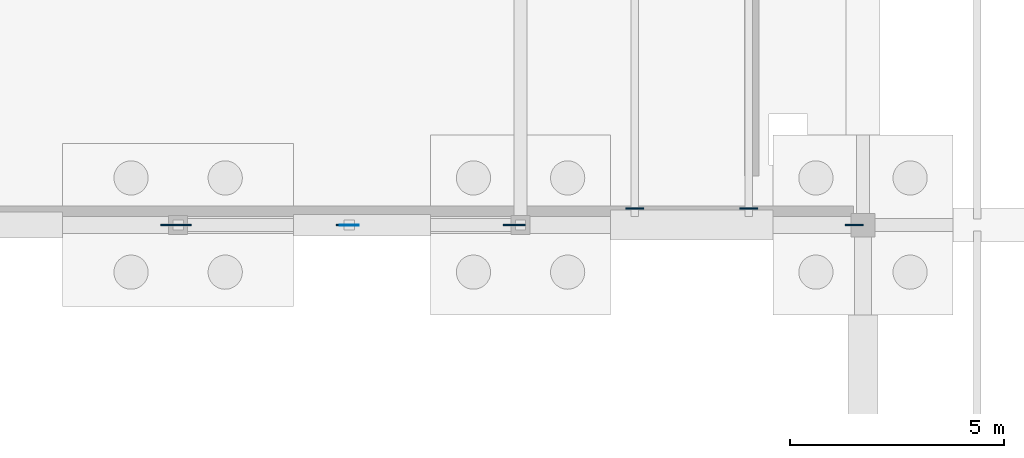
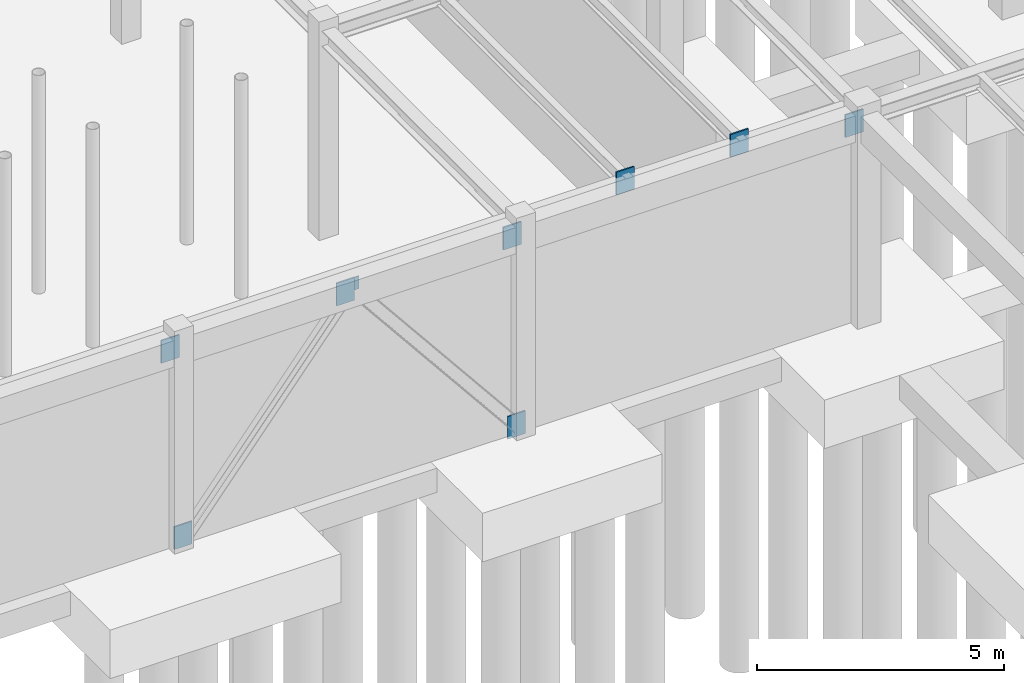
# One storey, part 41 of 71: 9 plates.
"""IFC4 building model written with IfcOpenShell, lengths in metres."""

from ifc_helpers import new_model, si_unit, direction, frame, origin, origin_2d, place, context, subcontext, project, spatial, rectangle, extrude, material, layer, layer_set, type_object, element, save


model = new_model("IFC4")

# Units and contexts
model_context = context("Model", 3, precision=1e-05, world=origin(), true_north=direction((0.0, 1.0)))
body_context = subcontext(model_context, "Body", "Model", "MODEL_VIEW")
ifc_project = project(units=[si_unit("LENGTHUNIT", "METRE"), si_unit("AREAUNIT", "SQUARE_METRE"), si_unit("VOLUMEUNIT", "CUBIC_METRE"), si_unit("PLANEANGLEUNIT", "RADIAN"), si_unit("MASSUNIT", "GRAM", prefix="KILO")], contexts=[model_context])

# Site, building, storey
site_placement = place(None, origin())
site = spatial("IfcSite", under=ifc_project, at=site_placement, CompositionType="ELEMENT")
building_placement = place(site_placement, origin())
building = spatial("IfcBuilding", under=site, at=building_placement, Name="Sundkrona Museum", CompositionType="ELEMENT")
storey_placement = place(building_placement, frame((0.0, 0.0, -5.39990234375)))
storey = spatial("IfcBuildingStorey", under=building, at=storey_placement, Name="B1", CompositionType="ELEMENT", Elevation=-5.39990234375)

# Plates
ifc_material = material(Name="Steel S355J2", Category="steel")
ifc_layer_1 = layer(ifc_material, 0.034912109375)
ifc_layer_set_1 = layer_set([ifc_layer_1], Name="Steel S355J2")
plate_type_1 = type_object("IfcPlateType", Name="EP-1", PredefinedType="USERDEFINED", material=ifc_layer_set_1)
for number, where, z_axis, x_axis, name in (
    (1, (63.800048828125, 78.0, 4.554931640625), (0.0, 0.0, 1.0), (1.0, 0.0, 0.0), "Structural Wall Cast-In Embed Plate BM-B1-X-0104-2"),
    (2, (71.800048828125, 78.0, 4.554931640625), (0.0, 0.0, 1.0), (1.0, 0.0, 0.0), "Structural Wall Cast-In Embed Plate BM-B1-X-0105-2"),
    (3, (79.800048828125, 78.0, 4.534912109375), (0.0, 0.0, 1.0), (1.0, 0.0, 0.0), "Structural Wall Cast-In Embed Plate BM-B1-X-0106-2"),
    (4, (74.666748046875, 78.385498046875, 4.679931640625), (0.0, 0.0, 1.0), (1.0, 0.0, 0.0), "Structural Wall Cast-In Embed Plate JS-B1-0086-1"),
    (5, (77.333251953125, 78.385498046875, 4.679931640625), (0.0, 0.0, 1.0), (1.0, 0.0, 0.0), "Structural Wall Cast-In Embed Plate JS-B1-0087-1"),
    (6, (64.10009765625, 78.0, -0.15673828125), (0.0, 0.0, 1.0), (1.0, 0.0, 0.0), "Structural Wall Cast-In Embed Plate BR-B1-018A-1"),
    (7, (67.89990234375, 78.0, 4.536376953125), (0.0, 0.0, 1.0), (1.0, 0.0, 0.0), "Structural Wall Cast-In Embed Plate BR-B1-018A-2"),
    (8, (71.89990234375, 78.0, -0.15673828125), (0.0, 0.0, 1.0), (1.0, 0.0, 0.0), "Structural Wall Cast-In Embed Plate BR-B1-018B-1"),
):
    element("IfcPlate", number, at=place(storey_placement, frame(where, z_axis=z_axis, x_axis=x_axis)), inside=storey, type_object=plate_type_1, Name=name, ObjectType="GUSSET PLATE", PredefinedType="USERDEFINED", context=body_context, shape_type="SweptSolid", body=[
        extrude(rectangle(XDim=0.419921875, YDim=0.034912109375, at=origin_2d()), origin(), (0.0, 0.0, 1.0), 0.56005859375),
    ])
ifc_layer_2 = layer(ifc_material, 0.02197265625)
ifc_layer_set_2 = layer_set([ifc_layer_2], Name="Steel S355J2")
plate_type_2 = type_object("IfcPlateType", Name="GP-5", PredefinedType="USERDEFINED", material=ifc_layer_set_2)
plate_placement = place(storey_placement, frame((68.0, 78.0, 4.784912109375), z_axis=(0.0, 0.0, 1.0), x_axis=(1.0, 0.0, 0.0)))
element("IfcPlate", 9, at=plate_placement, inside=storey, type_object=plate_type_2, Name="B1 Chevron Apex Gusset Plate 018", ObjectType="GUSSET PLATE", PredefinedType="USERDEFINED", context=body_context, shape_type="SweptSolid", body=[
    extrude(rectangle(XDim=0.43994140625, YDim=0.02197265625, at=origin_2d()), origin(), (0.0, 0.0, 1.0), 0.31005859375),
])

save(model, "model.ifc")
